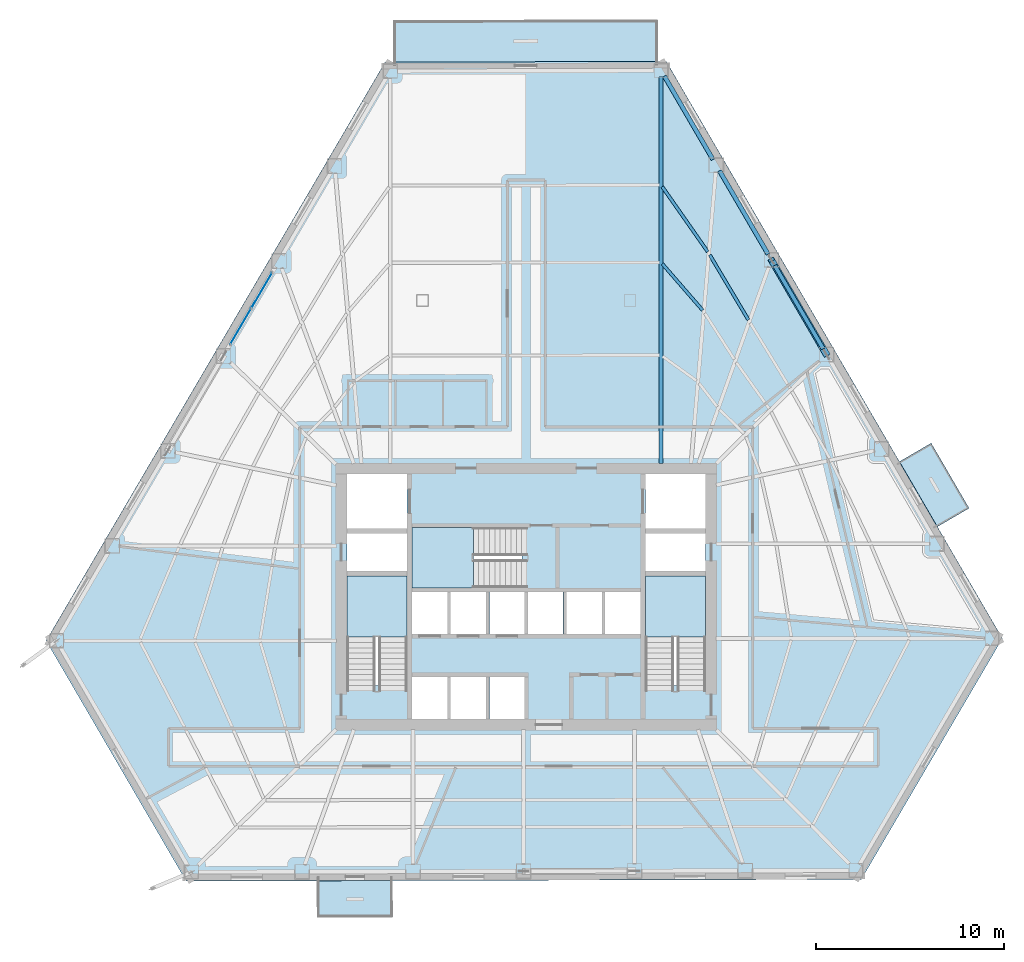
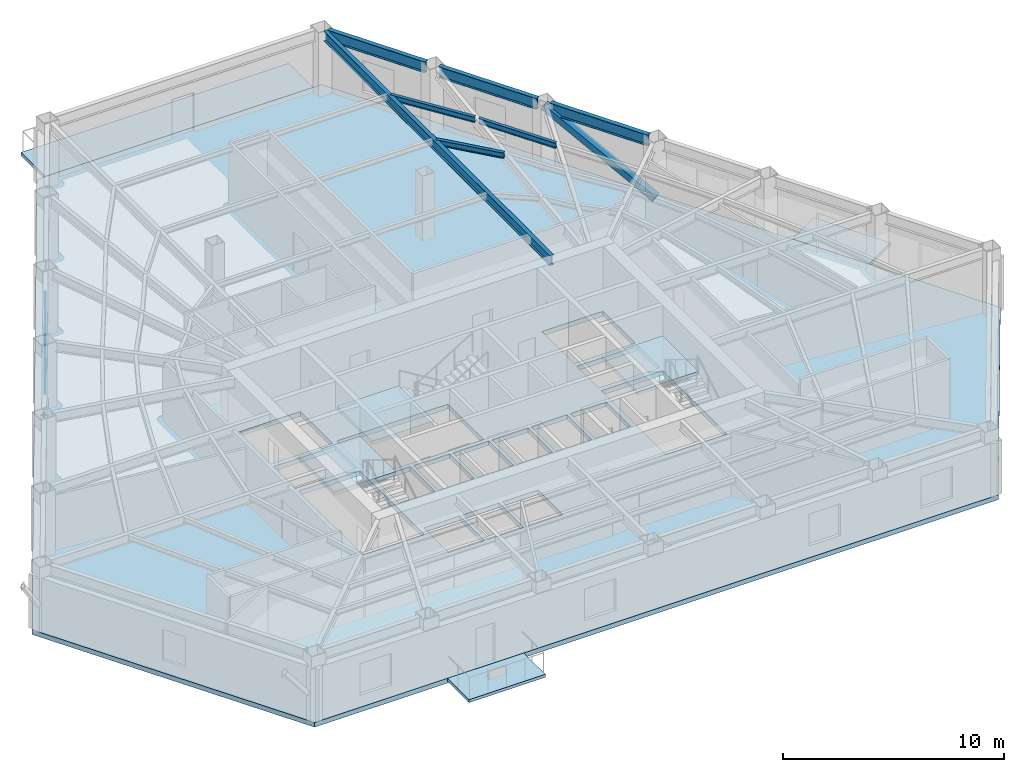
# One storey, part 5 of 15: 7 beams, 7 slabs, 2 plates, 1 member, 4 elements without a shape of their own.
"""IFC4 building model written with IfcOpenShell, lengths in metres."""

from ifc_helpers import new_model, si_unit, direction, frame, origin, origin_2d, place, context, subcontext, project, spatial, polyline, rectangle, hollow_rectangle, i_section, outline, extrude, material, layer, layer_set, material_profile, profile_set, type_object, element, aggregate, save


model = new_model("IFC4")

# Units and contexts
model_context = context("Model", 3, precision=1e-05, world=origin(), true_north=direction((0.0, 1.0)))
body_context = subcontext(model_context, "Body", "Model", "MODEL_VIEW")
ifc_project = project(units=[si_unit("LENGTHUNIT", "METRE"), si_unit("AREAUNIT", "SQUARE_METRE"), si_unit("VOLUMEUNIT", "CUBIC_METRE"), si_unit("PLANEANGLEUNIT", "RADIAN"), si_unit("MASSUNIT", "GRAM", prefix="KILO")], contexts=[model_context])

# Site, building, storey
site_placement = place(None, origin())
site = spatial("IfcSite", under=ifc_project, at=site_placement, CompositionType="ELEMENT")
building_placement = place(site_placement, origin())
building = spatial("IfcBuilding", under=site, at=building_placement, Name="Kavelnor Concourse Tower", CompositionType="ELEMENT")
storey_placement = place(building_placement, frame((0.0, 0.0, 63.75)))
storey = spatial("IfcBuildingStorey", under=building, at=storey_placement, Name="L16", CompositionType="ELEMENT", Elevation=63.75)

# Beams
ifc_material_1 = material(Name="Steel Grade 350", Category="steel")
ifc_material_profile_1 = material_profile(ifc_material_1, i_section(OverallWidth=0.166015625, OverallDepth=0.306884765625, WebThickness=0.006591796875, FlangeThickness=0.01171875, at=origin_2d()), Name="310UB46")
ifc_profile_set_1 = profile_set([ifc_material_profile_1], Name="Steel Grade 350")
beam_type_1 = type_object("IfcBeamType", Name="BM-JOIST-310", PredefinedType="JOIST", material=ifc_profile_set_1)
beam_1_placement = place(storey_placement, frame((49.787841796875, 30.78271484375, 3.4365234375), z_axis=(-0.511117921517, 0.859510599297, 0.0), x_axis=(-0.859510599297, -0.511117921517, 0.0)))
element("IfcBeam", 1, at=beam_1_placement, inside=storey, type_object=beam_type_1, Name="L16 Secondary Composite Joist 13-3", PredefinedType="JOIST", context=body_context, shape_type="SweptSolid", body=[
    extrude(i_section(OverallWidth=0.166015625, OverallDepth=0.306884765625, WebThickness=0.006591796875, FlangeThickness=0.01171875, at=origin_2d()), origin(), (0.0, 0.0, 1.0), 4.011962890625),
])
beam_2_placement = place(storey_placement, frame((47.3603515625, 31.291259765625, 3.4365234375), z_axis=(-0.655707986087, 0.755014593886, 0.0), x_axis=(-0.755014593886, -0.655707986087, 0.0)))
element("IfcBeam", 2, at=beam_2_placement, inside=storey, type_object=beam_type_1, Name="L16 Secondary Composite Joist 14-2", PredefinedType="JOIST", context=body_context, shape_type="SweptSolid", body=[
    extrude(i_section(OverallWidth=0.166015625, OverallDepth=0.306884765625, WebThickness=0.006591796875, FlangeThickness=0.01171875, at=origin_2d()), origin(), (0.0, 0.0, 1.0), 3.262451171875),
])
beam_3_placement = place(storey_placement, frame((47.630615234375, 34.396240234375, 3.4365234375), z_axis=(-0.57329136228, 0.819351581396, 0.0), x_axis=(-0.819351581396, -0.57329136228, 0.0)))
element("IfcBeam", 3, at=beam_3_placement, inside=storey, type_object=beam_type_1, Name="L16 Secondary Composite Joist 14-3", PredefinedType="JOIST", context=body_context, shape_type="SweptSolid", body=[
    extrude(i_section(OverallWidth=0.166015625, OverallDepth=0.306884765625, WebThickness=0.006591796875, FlangeThickness=0.01171875, at=origin_2d()), origin(), (0.0, 0.0, 1.0), 4.216796875),
])
ifc_material_profile_2 = material_profile(ifc_material_1, i_section(OverallWidth=0.208984375, OverallDepth=0.528076171875, WebThickness=0.009521484375, FlangeThickness=0.01318359375, at=origin_2d()), Name="530UB82")
ifc_profile_set_2 = profile_set([ifc_material_profile_2], Name="Steel Grade 350")
beam_type_2 = type_object("IfcBeamType", Name="BM-PRIMARY-530", PredefinedType="BEAM", material=ifc_profile_set_2)
beam_4_placement = place(storey_placement, frame((45.15673828125, 23.159912109375, 3.325927734375), z_axis=(0.0, 1.0, 0.0), x_axis=(-1.0, 0.0, 0.0)))
element("IfcBeam", 4, at=beam_4_placement, inside=storey, type_object=beam_type_2, Name="L16 Primary Floor Girder F2-B6", PredefinedType="BEAM", context=body_context, shape_type="SweptSolid", body=[
    extrude(i_section(OverallWidth=0.208984375, OverallDepth=0.528076171875, WebThickness=0.009521484375, FlangeThickness=0.01318359375, at=origin_2d()), origin(), (0.0, 0.0, 1.0), 20.516845703125),
])
ifc_material_profile_3 = material_profile(ifc_material_1, i_section(OverallWidth=0.22900390625, OverallDepth=0.612060546875, WebThickness=0.011962890625, FlangeThickness=0.01953125, at=origin_2d()), Name="610UB125")
ifc_profile_set_3 = profile_set([ifc_material_profile_3], Name="Steel Grade 350")
beam_type_3 = type_object("IfcBeamType", Name="BM-SPANDREL-Z1", PredefinedType="SPANDREL", material=ifc_profile_set_3)
beam_5_placement = place(storey_placement, frame((53.760986328125, 29.246337890625, 3.283935546875), z_axis=(-0.503358310212, 0.864077780955, 0.0), x_axis=(-0.864077780955, -0.503358310212, 0.0)))
element("IfcBeam", 5, at=beam_5_placement, inside=storey, type_object=beam_type_3, Name="L16 Perimeter Tube Spandrel Beam F2-B3", PredefinedType="SPANDREL", context=body_context, shape_type="SweptSolid", body=[
    extrude(i_section(OverallWidth=0.22900390625, OverallDepth=0.612060546875, WebThickness=0.011962890625, FlangeThickness=0.01953125, at=origin_2d()), origin(), (0.0, 0.0, 1.0), 5.122802734375),
])
for number, where, z_axis, x_axis, name in (
    (6, (50.8349609375, 34.26904296875, 3.283935546875), (-0.503337582741, 0.864089855166, 0.0), (-0.864089855166, -0.503337582741, 0.0), "L16 Perimeter Tube Spandrel Beam F2-B4"),
    (7, (47.908935546875, 39.2919921875, 3.283935546875), (-0.503337582741, 0.864089855166, 0.0), (-0.864089855166, -0.503337582741, 0.0), "L16 Perimeter Tube Spandrel Beam F2-B5"),
):
    element("IfcBeam", number, at=place(storey_placement, frame(where, z_axis=z_axis, x_axis=x_axis)), inside=storey, type_object=beam_type_3, Name=name, PredefinedType="SPANDREL", context=body_context, shape_type="SweptSolid", body=[
        extrude(i_section(OverallWidth=0.22900390625, OverallDepth=0.612060546875, WebThickness=0.011962890625, FlangeThickness=0.01953125, at=origin_2d()), origin(), (0.0, 0.0, 1.0), 5.123046875),
    ])

# Member
ifc_material_profile_4 = material_profile(ifc_material_1, hollow_rectangle(XDim=0.35009765625, YDim=0.35009765625, WallThickness=0.02001953125, at=origin_2d()), Name="SHS 350x350x20")
ifc_profile_set_4 = profile_set([ifc_material_profile_4], Name="Steel Grade 350")
member_type = type_object("IfcMemberType", Name="MBR-TUBE-DIAG-Z1", PredefinedType="BRACE", material=ifc_profile_set_4)
member_placement = place(storey_placement, frame((53.9345703125, 28.9482421875, 0.219970703125), z_axis=(-0.445298773797, 0.764383118341, 0.466291164885), x_axis=(-0.864069711509, -0.503372162175, 0.0)))
element("IfcMember", 8, at=member_placement, inside=storey, type_object=member_type, Name="L16 Framed-Tube Bracing Diagonal F2-B3", PredefinedType="BRACE", context=body_context, shape_type="SweptSolid", body=[
    extrude(hollow_rectangle(XDim=0.35009765625, YDim=0.35009765625, WallThickness=0.02001953125, at=origin_2d()), origin(), (0.0, 0.0, 1.0), 6.571044921875),
])

# Curtain wall, plates
ifc_material_2 = material(Name="Anodised aluminium 6063-T6", Category="aluminium")
ifc_layer_1 = layer(ifc_material_2, 0.139892578125, Name="Anodised aluminium 6063-T6")
ifc_layer_set_1 = layer_set([ifc_layer_1], Name="Anodised aluminium 6063-T6")
curtain_wall_type = type_object("IfcCurtainWallType", Name="CW-TERRACE-PAVILION", PredefinedType="NOTDEFINED", material=ifc_layer_set_1)
curtain_wall_placement = place(storey_placement, origin())
curtain_wall = element("IfcCurtainWall", 9, at=curtain_wall_placement, inside=storey, type_object=curtain_wall_type, Name="L16 Terrace Pavilion Curtain Wall", PredefinedType="NOTDEFINED")
ifc_material_3 = material(Name="Double low-E argon insulated glazing", Category="glass")
ifc_layer_2 = layer(ifc_material_3, 0.02392578125, Name="Double low-E argon insulated glazing")
ifc_layer_set_2 = layer_set([ifc_layer_2], Name="Double low-E argon insulated glazing")
plate_type = type_object("IfcPlateType", Name="CW-TERRACE-PAVILION-PANEL", PredefinedType="CURTAIN_PANEL", material=ifc_layer_set_2)
plate_1_placement = place(storey_placement, frame((23.964599609375, 32.345458984375, 0.06005859375), z_axis=(0.0, 0.0, 1.0), x_axis=(-0.505431492718, -0.862866737202, 0.0)))
plate_1 = element("IfcPlate", 10, at=plate_1_placement, type_object=plate_type, Name="L16 Terrace Pavilion Curtain Wall Vision Panel 1", PredefinedType="CURTAIN_PANEL", context=body_context, shape_type="SweptSolid", body=[
    extrude(rectangle(XDim=2.170166015625, YDim=0.02392578125, at=origin_2d()), origin(), (0.0, 0.0, 1.0), 2.6298828125),
])
plate_2_placement = place(storey_placement, frame((22.843017578125, 30.430419921875, 0.06005859375), z_axis=(0.0, 0.0, 1.0), x_axis=(-0.505431492718, -0.862866737202, 0.0)))
plate_2 = element("IfcPlate", 11, at=plate_2_placement, type_object=plate_type, Name="L16 Terrace Pavilion Curtain Wall Vision Panel 2", PredefinedType="CURTAIN_PANEL", context=body_context, shape_type="SweptSolid", body=[
    extrude(rectangle(XDim=2.170166015625, YDim=0.02392578125, at=origin_2d()), origin(), (0.0, 0.0, 1.0), 2.6298828125),
])
aggregate(curtain_wall, [plate_1, plate_2])

# Slabs
ifc_material_4 = material(Name="Concrete C40/50", Category="concrete")
ifc_layer_3 = layer(ifc_material_4, 0.169921875, Name="Concrete C40/50")
ifc_layer_set_3 = layer_set([ifc_layer_3], Name="Concrete C40/50")
slab_type_1 = type_object("IfcSlabType", Name="SLB-BALCONY-170", PredefinedType="FLOOR", material=ifc_layer_set_3)
slab_1_placement = place(storey_placement, frame((0.0, 0.0, -0.169921875)))
element("IfcSlab", 12, at=slab_1_placement, inside=storey, type_object=slab_type_1, Name="L16 Cantilevered Tree Balcony Slab 1", PredefinedType="FLOOR", context=body_context, shape_type="SweptSolid", body=[
    extrude(outline(polyline([(30.912109375, -0.925537109375), (26.912109375, -0.93505859375), (26.907470703125, 1.014892578125), (30.907470703125, 1.0244140625), (30.912109375, -0.925537109375)])), origin(), (0.0, 0.0, 1.0), 0.169921875),
])
slab_2_placement = place(storey_placement, frame((0.0, 0.0, -0.169921875)))
element("IfcSlab", 13, at=slab_2_placement, inside=storey, type_object=slab_type_1, Name="L16 Cantilevered Tree Balcony Slab 2", PredefinedType="FLOOR", context=body_context, shape_type="SweptSolid", body=[
    extrude(outline(polyline([(59.487548828125, 24.2431640625), (61.5009765625, 20.786865234375), (59.816162109375, 19.805419921875), (57.802734375, 23.26171875), (59.487548828125, 24.2431640625)])), origin(), (0.0, 0.0, 1.0), 0.169921875),
])

# Stair, slab
stair_type = type_object("IfcStairType", Name="STR-CORE-1500", PredefinedType="HALF_TURN_STAIR", material=ifc_material_4)
stair_1_placement = place(storey_placement, origin())
stair_1 = element("IfcStair", 14, at=stair_1_placement, inside=storey, type_object=stair_type, Name="L16 ST1", PredefinedType="HALF_TURN_STAIR")
ifc_layer_4 = layer(ifc_material_4, 0.199951171875, Name="Concrete C40/50")
ifc_layer_set_4 = layer_set([ifc_layer_4], Name="Concrete C40/50")
slab_type_2 = type_object("IfcSlabType", Name="SLB-LANDING-200", PredefinedType="LANDING", material=ifc_layer_set_4)
slab_3_placement = place(storey_placement, frame((0.0, 0.0, 1.72509765625)))
slab_3 = element("IfcSlab", 15, at=slab_3_placement, type_object=slab_type_2, Name="ST1 landing 1", PredefinedType="LANDING", context=body_context, shape_type="SweptSolid", body=[
    extrude(outline(polyline([(31.679931640625, 13.949951171875), (31.679931640625, 17.199951171875), (28.47998046875, 17.199951171875), (28.47998046875, 13.949951171875), (31.679931640625, 13.949951171875)])), origin(), (0.0, 0.0, 1.0), 0.199951171875),
])
aggregate(stair_1, [slab_3])

stair_2_placement = place(storey_placement, origin())
stair_2 = element("IfcStair", 16, at=stair_2_placement, inside=storey, type_object=stair_type, Name="L16 ST2", PredefinedType="HALF_TURN_STAIR")
slab_4_placement = place(storey_placement, frame((0.0, 0.0, 1.72509765625)))
slab_4 = element("IfcSlab", 17, at=slab_4_placement, type_object=slab_type_2, Name="ST2 landing 1", PredefinedType="LANDING", context=body_context, shape_type="SweptSolid", body=[
    extrude(outline(polyline([(47.52001953125, 13.949951171875), (47.52001953125, 17.199951171875), (44.320068359375, 17.199951171875), (44.320068359375, 13.949951171875), (47.52001953125, 13.949951171875)])), origin(), (0.0, 0.0, 1.0), 0.199951171875),
])
aggregate(stair_2, [slab_4])

stair_3_placement = place(storey_placement, origin())
stair_3 = element("IfcStair", 18, at=stair_3_placement, inside=storey, type_object=stair_type, Name="L16 ST3", PredefinedType="HALF_TURN_STAIR")
slab_5_placement = place(storey_placement, frame((0.0, 0.0, 1.72509765625)))
slab_5 = element("IfcSlab", 19, at=slab_5_placement, type_object=slab_type_2, Name="ST3 landing 1", PredefinedType="LANDING", context=body_context, shape_type="SweptSolid", body=[
    extrude(outline(polyline([(35.18994140625, 19.760009765625), (31.93994140625, 19.760009765625), (31.93994140625, 16.56005859375), (35.18994140625, 16.56005859375), (35.18994140625, 19.760009765625)])), origin(), (0.0, 0.0, 1.0), 0.199951171875),
])
aggregate(stair_3, [slab_5])

# Slabs
ifc_layer_5 = layer(ifc_material_4, 0.260009765625, Name="Concrete C40/50")
ifc_layer_set_5 = layer_set([ifc_layer_5], Name="Concrete C40/50")
slab_type_3 = type_object("IfcSlabType", Name="SLB-OFFICE-260", PredefinedType="FLOOR", material=ifc_layer_set_5)
slab_6_placement = place(storey_placement, frame((0.0, 0.0, -0.260009765625)))
element("IfcSlab", 20, at=slab_6_placement, inside=storey, type_object=slab_type_3, Name="L16 Composite Structural Floor Slab", PredefinedType="FLOOR", context=body_context, shape_type="SweptSolid", body=[
    extrude(outline(polyline([(45.43212890625, 44.49755859375), (30.505615234375, 44.461669921875), (12.52001953125, 13.756591796875), (19.951904296875, 0.998046875), (55.77392578125, 1.08447265625), (63.268310546875, 13.87890625), (45.43212890625, 44.49755859375)]), holes=[polyline([(28.47998046875, 11.3798828125), (31.679931640625, 11.3798828125), (31.679931640625, 17.199951171875), (28.47998046875, 17.199951171875), (28.47998046875, 11.3798828125)]), polyline([(44.320068359375, 11.3798828125), (47.52001953125, 11.3798828125), (47.52001953125, 17.199951171875), (44.320068359375, 17.199951171875), (44.320068359375, 11.3798828125)]), polyline([(31.93994140625, 16.56005859375), (37.760009765625, 16.56005859375), (37.760009765625, 19.760009765625), (31.93994140625, 19.760009765625), (31.93994140625, 16.56005859375)]), polyline([(28.47998046875, 19.699951171875), (31.679931640625, 19.699951171875), (31.679931640625, 22.60009765625), (28.47998046875, 22.60009765625), (28.47998046875, 19.699951171875)]), polyline([(44.320068359375, 19.699951171875), (47.52001953125, 19.699951171875), (47.52001953125, 22.60009765625), (44.320068359375, 22.60009765625), (44.320068359375, 19.699951171875)]), polyline([(31.93994140625, 14.10009765625), (33.81005859375, 14.10009765625), (33.81005859375, 16.340087890625), (31.93994140625, 16.340087890625), (31.93994140625, 14.10009765625)]), polyline([(33.989990234375, 14.10009765625), (35.860107421875, 14.10009765625), (35.860107421875, 16.340087890625), (33.989990234375, 16.340087890625), (33.989990234375, 14.10009765625)]), polyline([(36.0400390625, 14.10009765625), (37.909912109375, 14.10009765625), (37.909912109375, 16.340087890625), (36.0400390625, 16.340087890625), (36.0400390625, 14.10009765625)]), polyline([(38.090087890625, 14.10009765625), (39.9599609375, 14.10009765625), (39.9599609375, 16.340087890625), (38.090087890625, 16.340087890625), (38.090087890625, 14.10009765625)]), polyline([(40.139892578125, 14.10009765625), (42.010009765625, 14.10009765625), (42.010009765625, 16.340087890625), (40.139892578125, 16.340087890625), (40.139892578125, 14.10009765625)]), polyline([(42.18994140625, 14.10009765625), (44.06005859375, 14.10009765625), (44.06005859375, 16.340087890625), (42.18994140625, 16.340087890625), (42.18994140625, 14.10009765625)]), polyline([(31.93994140625, 9.60009765625), (33.81005859375, 9.60009765625), (33.81005859375, 11.840087890625), (31.93994140625, 11.840087890625), (31.93994140625, 9.60009765625)]), polyline([(33.989990234375, 9.60009765625), (35.860107421875, 9.60009765625), (35.860107421875, 11.840087890625), (33.989990234375, 11.840087890625), (33.989990234375, 9.60009765625)]), polyline([(36.0400390625, 9.60009765625), (37.909912109375, 9.60009765625), (37.909912109375, 11.840087890625), (36.0400390625, 11.840087890625), (36.0400390625, 9.60009765625)]), polyline([(28.47998046875, 17.4599609375), (31.679931640625, 17.4599609375), (31.679931640625, 19.43994140625), (28.47998046875, 19.43994140625), (28.47998046875, 17.4599609375)]), polyline([(44.320068359375, 17.4599609375), (47.52001953125, 17.4599609375), (47.52001953125, 19.43994140625), (44.320068359375, 19.43994140625), (44.320068359375, 17.4599609375)])]), origin(), (0.0, 0.0, 1.0), 0.260009765625),
])
ifc_layer_6 = layer(ifc_material_4, 0.18994140625, Name="Concrete C40/50")
ifc_layer_set_6 = layer_set([ifc_layer_6], Name="Concrete C40/50")
slab_type_4 = type_object("IfcSlabType", Name="SLB-TERRACE-190", PredefinedType="FLOOR", material=ifc_layer_set_6)
slab_7_placement = place(storey_placement, frame((0.0, 0.0, -0.18994140625)))
element("IfcSlab", 21, at=slab_7_placement, inside=storey, type_object=slab_type_4, Name="L16 Spiralling Sky Terrace Slab", PredefinedType="FLOOR", context=body_context, shape_type="SweptSolid", body=[
    extrude(outline(polyline([(30.9501953125, 46.66259765625), (44.976806640625, 46.6962890625), (44.982177734375, 44.496337890625), (30.95556640625, 44.462646484375), (30.9501953125, 46.66259765625)])), origin(), (0.0, 0.0, 1.0), 0.18994140625),
])

save(model, "model.ifc")
